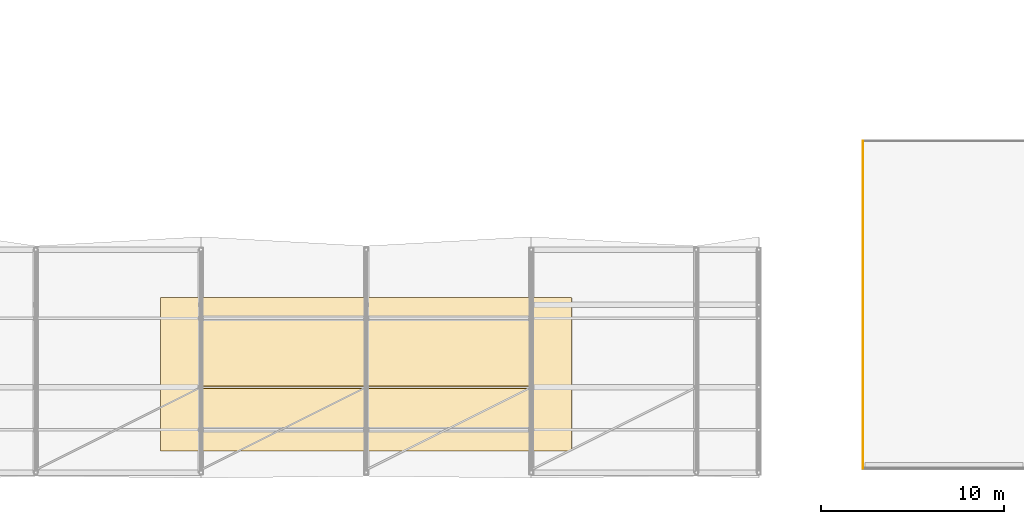
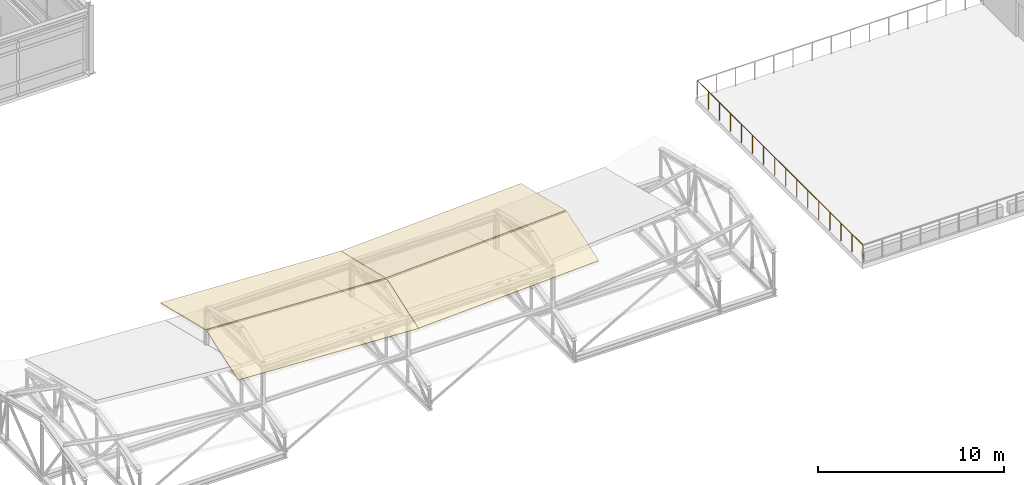
# One storey, part 52 of 55: 4 coverings, 1 railing.
"""IFC4 building model written with IfcOpenShell, lengths in metres."""

import ifcopenshell
import ifcopenshell.guid

model = None  # the IFC model being written
_history = None  # IfcOwnerHistory: only IFC2X3 demands one
_inside = {}  # id of a spatial element -> (the spatial element, [elements in it])
_under = {}  # id of a project, library or spatial element -> (it, [spatial elements below it])
_declared = {}  # id of a project -> (the project, [libraries it declares])
_typed = {}  # id of a type object -> (the type object, [elements of that type])
_made_of = {}  # id of a material, layer set ... -> (it, [elements and type objects made of it])


def new_model(schema):
    """Start an empty IFC model of exactly this schema.

    Asked for "IFC4X3", IfcOpenShell would pick the latest addendum, in which some entities
    have other attributes; the version numbers below select the first issue.
    IFC2X3 requires an IfcOwnerHistory on every rooted entity: one is made here for all.
    """
    global model, _history
    if schema == "IFC4X3":
        model = ifcopenshell.file(schema_version=(4, 3, 0, 0))
    else:
        model = ifcopenshell.file(schema=schema)
    _inside.clear()
    _under.clear()
    _declared.clear()
    _typed.clear()
    _made_of.clear()
    _history = None
    if model.schema == "IFC2X3":
        org = make("IfcOrganization", Name="unknown")
        user = make(
            "IfcPersonAndOrganization",
            ThePerson=make("IfcPerson", FamilyName="unknown"),
            TheOrganization=org,
        )
        app = make(
            "IfcApplication",
            ApplicationDeveloper=org,
            Version="unknown",
            ApplicationFullName="unknown",
            ApplicationIdentifier="unknown",
        )
        _history = make(
            "IfcOwnerHistory",
            OwningUser=user,
            OwningApplication=app,
            ChangeAction="ADDED",
            CreationDate=0,
        )
    return model


def make(cls, **values):
    """One entity of the class cls with the attributes given. An attribute that is None is left unset."""
    return model.create_entity(
        cls, **{name: value for name, value in values.items() if value is not None}
    )


def rooted(cls, **values):
    """An entity with a GlobalId (a new one), such as an element, a storey or a relation."""
    return make(cls, GlobalId=ifcopenshell.guid.new(), OwnerHistory=_history, **values)


def si_unit(unit_type, name, prefix=None):
    """IfcSIUnit, for example si_unit("LENGTHUNIT", "METRE", prefix="MILLI")."""
    return make("IfcSIUnit", UnitType=unit_type, Prefix=prefix, Name=name)


def assignment(units):
    """IfcUnitAssignment: the units of a project."""
    return None if units is None else make("IfcUnitAssignment", Units=units)


def point(xyz):
    """IfcCartesianPoint."""
    return None if xyz is None else make("IfcCartesianPoint", Coordinates=xyz)


def direction(xyz):
    """IfcDirection."""
    return None if xyz is None else make("IfcDirection", DirectionRatios=xyz)


def frame(location, z_axis=None, x_axis=None):
    """IfcAxis2Placement3D, a coordinate frame: its origin and axes. An axis left out is left unset."""
    return make(
        "IfcAxis2Placement3D",
        Location=point(location),
        Axis=direction(z_axis),
        RefDirection=direction(x_axis),
    )


def frame_2d(location, x_axis=None):
    """IfcAxis2Placement2D, a coordinate frame in the plane: its origin and x axis."""
    return make(
        "IfcAxis2Placement2D", Location=point(location), RefDirection=direction(x_axis)
    )


def origin():
    """The frame at (0, 0, 0) with its axes left unset."""
    return frame((0.0, 0.0, 0.0))


def origin_2d():
    """The frame at (0, 0) in the plane with its x axis left unset."""
    return frame_2d((0.0, 0.0))


def place(relative_to, where):
    """IfcLocalPlacement: puts the frame where relative to a parent placement (None: the world)."""
    return make(
        "IfcLocalPlacement", PlacementRelTo=relative_to, RelativePlacement=where
    )


def context(
    kind, dimensions, precision=None, world=None, true_north=None, identifier=None
):
    """IfcGeometricRepresentationContext, for example the 3D "Model" context."""
    return make(
        "IfcGeometricRepresentationContext",
        ContextIdentifier=identifier,
        ContextType=kind,
        CoordinateSpaceDimension=dimensions,
        Precision=precision,
        WorldCoordinateSystem=world,
        TrueNorth=true_north,
    )


def subcontext(parent, identifier, kind, view, scale=None):
    """IfcGeometricRepresentationSubContext, for example "Body" below "Model"."""
    return make(
        "IfcGeometricRepresentationSubContext",
        ContextIdentifier=identifier,
        ContextType=kind,
        ParentContext=parent,
        TargetScale=scale,
        TargetView=view,
    )


def project(units=None, contexts=None):
    """IfcProject with its units and contexts."""
    return rooted(
        "IfcProject",
        Name="project",
        RepresentationContexts=contexts,
        UnitsInContext=assignment(units),
    )


def spatial(cls, under=None, at=None, **own):
    """A site, building, storey or space (cls), placed at a placement, below another one or the project."""
    s = rooted(cls, ObjectPlacement=at, **own)
    if under is not None:
        _under.setdefault(under.id(), (under, []))[1].append(s)
    return s


def polyline(points):
    """IfcPolyline through the points."""
    return make("IfcPolyline", Points=[point(p) for p in points])


def profile(cls, at=None, kind="AREA", **sizes):
    """A parametric profile (cls). Its sizes go by their IFC names, for example OverallWidth=200.0."""
    return make(cls, ProfileType=kind, Position=at, **sizes)


def circle(**sizes):
    """IfcCircleProfileDef."""
    return profile("IfcCircleProfileDef", **sizes)


def outline(outer, holes=None, kind="AREA"):
    """IfcArbitraryClosedProfileDef: a profile drawn as a closed curve; with holes, ...WithVoids."""
    if holes is None:
        return make("IfcArbitraryClosedProfileDef", ProfileType=kind, OuterCurve=outer)
    return make(
        "IfcArbitraryProfileDefWithVoids",
        ProfileType=kind,
        OuterCurve=outer,
        InnerCurves=holes,
    )


def extrude(swept, where, along, depth):
    """IfcExtrudedAreaSolid: the profile swept, set in the frame where, extruded along a direction by depth."""
    return make(
        "IfcExtrudedAreaSolid",
        SweptArea=swept,
        Position=where,
        ExtrudedDirection=direction(along),
        Depth=depth,
    )


def shape(context_of_items, identifier, shape_type, items):
    """IfcShapeRepresentation: the items that make up one representation, for example the "Body"."""
    return make(
        "IfcShapeRepresentation",
        ContextOfItems=context_of_items,
        RepresentationIdentifier=identifier,
        RepresentationType=shape_type,
        Items=items,
    )


def material(Name=None, Category=None):
    """IfcMaterial."""
    return make("IfcMaterial", Name=Name, Category=Category)


def layer(
    of_material, thickness, ventilated=None, Name=None, Category=None, Priority=None
):
    """IfcMaterialLayer: one layer of a wall or slab, of a material (None: an air gap)."""
    return make(
        "IfcMaterialLayer",
        Material=of_material,
        LayerThickness=thickness,
        IsVentilated=ventilated,
        Name=Name,
        Category=Category,
        Priority=Priority,
    )


def layer_set(layers, Name=None):
    """IfcMaterialLayerSet."""
    return make("IfcMaterialLayerSet", MaterialLayers=layers, LayerSetName=Name)


def made_of(thing, what):
    """Note that an element or type object is made of a material, layer set ...; save() writes the relation."""
    if what is not None:
        _made_of.setdefault(what.id(), (what, []))[1].append(thing)
    return thing


def type_object(cls, material=None, **own):
    """A type object (cls), such as IfcWallType, which elements share."""
    return made_of(rooted(cls, **own), material)


def element(
    cls,
    number,
    at=None,
    inside=None,
    cuts=None,
    type_object=None,
    material=None,
    context=None,
    identifier="Body",
    shape_type=None,
    held_by="IfcProductDefinitionShape",
    body=None,
    shapes=None,
    **own,
):
    """One element of the class cls, such as IfcWall. Its Tag is "e" and its number.

    at: its placement. inside: the storey or other place that contains it. cuts: it is an
    opening in that element (IfcRelVoidsElement). A single representation is given by context,
    identifier, shape_type and body (its items); several are given by shapes. held_by: the class
    of the entity that holds the representations. save() writes the other relations.
    """
    e = rooted(cls, Tag="e%d" % number, ObjectPlacement=at, **own)
    if body is not None:
        shapes = [shape(context, identifier, shape_type, body)]
    if shapes is not None:
        e.Representation = make(held_by, Representations=shapes)
    if inside is not None:
        _inside.setdefault(inside.id(), (inside, []))[1].append(e)
    if cuts is not None:
        rooted(
            "IfcRelVoidsElement", RelatingBuildingElement=cuts, RelatedOpeningElement=e
        )
    if type_object is not None:
        _typed.setdefault(type_object.id(), (type_object, []))[1].append(e)
    return made_of(e, material)


def aggregate(whole, parts):
    """IfcRelAggregates: a whole, such as a stair, and the parts it consists of."""
    return rooted("IfcRelAggregates", RelatingObject=whole, RelatedObjects=parts)


def save(model, path):
    """Write the relations noted so far, then the file.

    IfcRelAggregates (storeys below a building ...), IfcRelContainedInSpatialStructure (elements
    in a storey), IfcRelDefinesByType, IfcRelAssociatesMaterial and IfcRelDeclares: one each for
    every whole, place, type object, material and project.
    """
    for whole, parts in _under.values():
        aggregate(whole, parts)
    for where, things in _inside.values():
        rooted(
            "IfcRelContainedInSpatialStructure",
            RelatedElements=things,
            RelatingStructure=where,
        )
    for kind, things in _typed.values():
        rooted("IfcRelDefinesByType", RelatedObjects=things, RelatingType=kind)
    for what, things in _made_of.values():
        rooted("IfcRelAssociatesMaterial", RelatedObjects=things, RelatingMaterial=what)
    for by, libraries in _declared.values():
        rooted("IfcRelDeclares", RelatingContext=by, RelatedDefinitions=libraries)
    model.write(path)


model = new_model("IFC4")

# Units and contexts
model_context = context("Model", 3, precision=1e-05, world=origin(), true_north=direction((0.0, 1.0)))
body_context = subcontext(model_context, "Body", "Model", "MODEL_VIEW")
ifc_project = project(units=[si_unit("LENGTHUNIT", "METRE"), si_unit("AREAUNIT", "SQUARE_METRE"), si_unit("VOLUMEUNIT", "CUBIC_METRE"), si_unit("PLANEANGLEUNIT", "RADIAN"), si_unit("MASSUNIT", "GRAM", prefix="KILO")], contexts=[model_context])

# Site, building, storey
site_placement = place(None, origin())
site = spatial("IfcSite", under=ifc_project, at=site_placement, CompositionType="ELEMENT")
building_placement = place(site_placement, origin())
building = spatial("IfcBuilding", under=site, at=building_placement, Name="Bozkorgan Art Gallery", CompositionType="ELEMENT")
storey_placement = place(building_placement, frame((0.0, 0.0, 15.0)))
storey = spatial("IfcBuildingStorey", under=building, at=storey_placement, Name="L03", CompositionType="ELEMENT", Elevation=15.0)

# Coverings
ifc_material_1 = material(Name="Standing-Seam Slate Grey Zinc Roofing", Category="masonry")
ifc_layer = layer(ifc_material_1, 0.050048828125, Name="Standing-Seam Slate Grey Zinc Roofing")
ifc_layer_set = layer_set([ifc_layer], Name="Standing-Seam Slate Grey Zinc Roofing")
covering_type = type_object("IfcCoveringType", Name="COV-ROOF-01", PredefinedType="ROOFING", material=ifc_layer_set)
covering_1_placement = place(storey_placement, frame((89.800048828125, 3.02490234375, 5.142578125), z_axis=(0.044351225863, -0.324012098127, 0.945012766597), x_axis=(0.998900515277, 0.0, -0.046880279224)))
element("IfcCovering", 1, at=covering_1_placement, inside=storey, type_object=covering_type, Name="L03 standing-seam zinc roofing 11", PredefinedType="ROOFING", context=body_context, shape_type="SweptSolid", body=[
    extrude(outline(polyline([(0.0, 0.0), (11.212278901241167, 0.0), (11.157386855548488, 3.6097758673718925), (-0.05489204569267903, 3.6097758673718925), (0.0, 0.0)])), origin(), (0.0, 0.0, -1.0), 0.050048828125),
])
covering_2_placement = place(storey_placement, frame((89.800048828125, 6.56005859375, 6.3134765625), z_axis=(0.045568535369, 0.234901074229, 0.970950562032), x_axis=(0.998900515277, 0.0, -0.046880279224)))
element("IfcCovering", 2, at=covering_2_placement, inside=storey, type_object=covering_type, Name="L03 standing-seam zinc roofing 12", PredefinedType="ROOFING", context=body_context, shape_type="SweptSolid", body=[
    extrude(outline(polyline([(0.0, 0.0), (11.212278901241167, 0.0), (11.267170946933847, 4.979164341400439), (0.05489204569267903, 4.97916434140044), (0.0, 0.0)])), origin(), (0.0, 0.0, -1.0), 0.050048828125),
])
covering_3_placement = place(storey_placement, frame((101.0, 3.02490234375, 4.616943359375), z_axis=(-0.044351225863, -0.324012098127, 0.945012766597), x_axis=(0.998900515277, 0.0, 0.046880279224)))
element("IfcCovering", 3, at=covering_3_placement, inside=storey, type_object=covering_type, Name="L03 standing-seam zinc roofing 13", PredefinedType="ROOFING", context=body_context, shape_type="SweptSolid", body=[
    extrude(outline(polyline([(0.0, 0.0), (11.212278901241167, 0.0), (11.267170946933847, 3.609775867371892), (0.05489204569267903, 3.6097758673718925), (0.0, 0.0)])), origin(), (0.0, 0.0, -1.0), 0.050048828125),
])
covering_4_placement = place(storey_placement, frame((101.0, 6.56005859375, 5.787841796875), z_axis=(-0.045568535369, 0.234901074229, 0.970950562032), x_axis=(0.998900515277, 0.0, 0.046880279224)))
element("IfcCovering", 4, at=covering_4_placement, inside=storey, type_object=covering_type, Name="L03 standing-seam zinc roofing 14", PredefinedType="ROOFING", context=body_context, shape_type="SweptSolid", body=[
    extrude(outline(polyline([(0.0, 0.0), (11.212278901241167, 0.0), (11.157386855548488, 4.97916434140044), (-0.05489204569267903, 4.97916434140044), (0.0, 0.0)])), origin(), (0.0, 0.0, -1.0), 0.050048828125),
])

# Railing
ifc_material_2 = material(Name="Steel S355J2", Category="steel")
railing_type = type_object("IfcRailingType", Name="RAIL-BAL-01", PredefinedType="BALUSTRADE", material=ifc_material_2)
railing_placement = place(storey_placement, frame((128.080078125, 2.080078125, 0.0)))
element("IfcRailing", 5, at=railing_placement, inside=storey, type_object=railing_type, Name="L03 Courtyard Roof Terrace perimeter guard (W)", PredefinedType="BALUSTRADE", context=body_context, shape_type="SweptSolid", body=[
    extrude(circle(Radius=0.02392578125, at=origin_2d()), frame((0.0, 0.0, 1.17578125), z_axis=(0.0, 1.0, 0.0), x_axis=(-1.0, 0.0, 0.0)), (0.0, 0.0, 1.0), 17.83984375),
    extrude(circle(Radius=0.02099609375, at=origin_2d()), origin(), (0.0, 0.0, 1.0), 1.15185546875),
    extrude(circle(Radius=0.02099609375, at=origin_2d()), frame((0.0, 1.189208984375, 0.0)), (0.0, 0.0, 1.0), 1.15185546875),
    extrude(circle(Radius=0.02099609375, at=origin_2d()), frame((0.0, 2.378662109375, 0.0)), (0.0, 0.0, 1.0), 1.15185546875),
    extrude(circle(Radius=0.02099609375, at=origin_2d()), frame((0.0, 3.56787109375, 0.0)), (0.0, 0.0, 1.0), 1.15185546875),
    extrude(circle(Radius=0.02099609375, at=origin_2d()), frame((0.0, 4.75732421875, 0.0)), (0.0, 0.0, 1.0), 1.15185546875),
    extrude(circle(Radius=0.02099609375, at=origin_2d()), frame((0.0, 5.946533203125, 0.0)), (0.0, 0.0, 1.0), 1.15185546875),
    extrude(circle(Radius=0.02099609375, at=origin_2d()), frame((0.0, 7.135986328125, 0.0)), (0.0, 0.0, 1.0), 1.15185546875),
    extrude(circle(Radius=0.02099609375, at=origin_2d()), frame((0.0, 8.3251953125, 0.0)), (0.0, 0.0, 1.0), 1.15185546875),
    extrude(circle(Radius=0.02099609375, at=origin_2d()), frame((0.0, 9.5146484375, 0.0)), (0.0, 0.0, 1.0), 1.15185546875),
    extrude(circle(Radius=0.02099609375, at=origin_2d()), frame((0.0, 10.703857421875, 0.0)), (0.0, 0.0, 1.0), 1.15185546875),
    extrude(circle(Radius=0.02099609375, at=origin_2d()), frame((0.0, 11.893310546875, 0.0)), (0.0, 0.0, 1.0), 1.15185546875),
    extrude(circle(Radius=0.02099609375, at=origin_2d()), frame((0.0, 13.08251953125, 0.0)), (0.0, 0.0, 1.0), 1.15185546875),
    extrude(circle(Radius=0.02099609375, at=origin_2d()), frame((0.0, 14.27197265625, 0.0)), (0.0, 0.0, 1.0), 1.15185546875),
    extrude(circle(Radius=0.02099609375, at=origin_2d()), frame((0.0, 15.461181640625, 0.0)), (0.0, 0.0, 1.0), 1.15185546875),
    extrude(circle(Radius=0.02099609375, at=origin_2d()), frame((0.0, 16.650634765625, 0.0)), (0.0, 0.0, 1.0), 1.15185546875),
    extrude(circle(Radius=0.02099609375, at=origin_2d()), frame((0.0, 17.83984375, 0.0)), (0.0, 0.0, 1.0), 1.15185546875),
])

save(model, "model.ifc")
